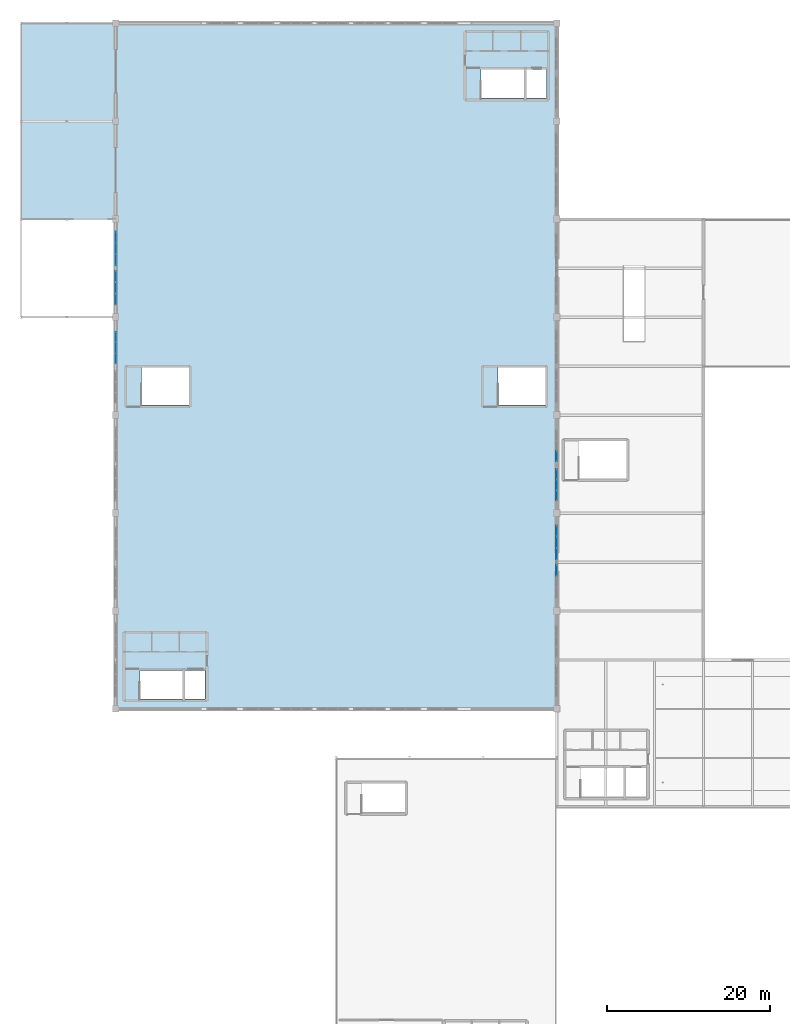
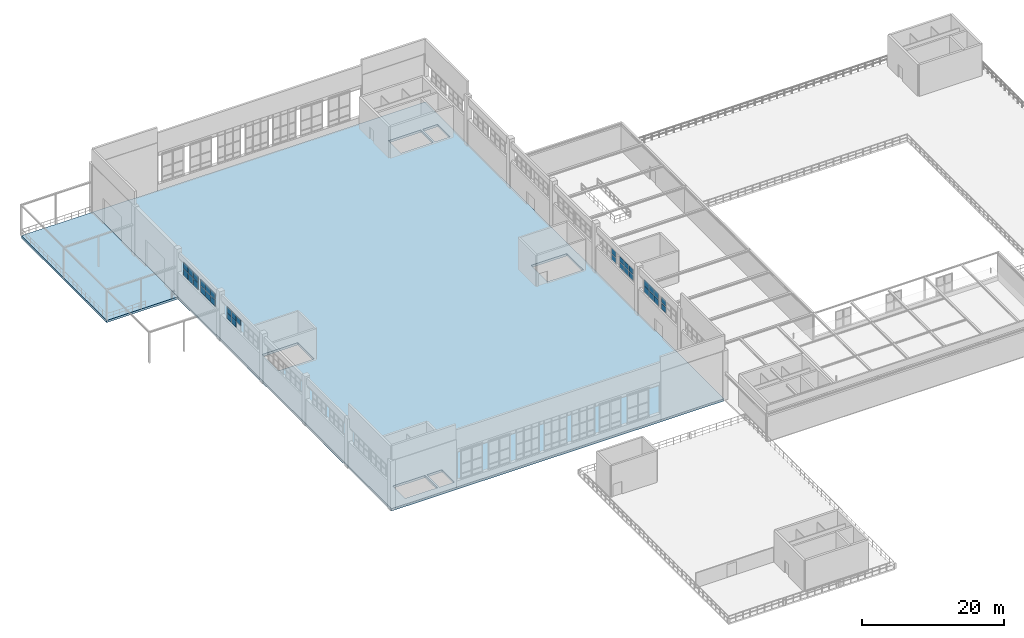
# One storey, part 72 of 97: 33 plates, 2 slabs, 7 elements without a shape of their own.
"""IFC4 building model written with IfcOpenShell, lengths in metres."""

from ifc_helpers import new_model, si_unit, derived_unit, direction, frame, origin, origin_2d, place, context, subcontext, project, spatial, polyline, rectangle, outline, extrude, material, layer, layer_set, type_object, element, aggregate, save


model = new_model("IFC4")

# Units and contexts
model_context = context("Model", 3, precision=1e-05, world=origin(), true_north=direction((0.0, 1.0)))
body_context = subcontext(model_context, "Body", "Model", "MODEL_VIEW")
ifc_project = project(units=[si_unit("LENGTHUNIT", "METRE"), si_unit("AREAUNIT", "SQUARE_METRE"), si_unit("VOLUMEUNIT", "CUBIC_METRE"), si_unit("PLANEANGLEUNIT", "RADIAN"), si_unit("MASSUNIT", "GRAM", prefix="KILO"), derived_unit("THERMALTRANSMITTANCEUNIT", [(si_unit("POWERUNIT", "WATT"), 1), (si_unit("LENGTHUNIT", "METRE"), -2), (si_unit("THERMODYNAMICTEMPERATUREUNIT", "KELVIN"), -1)])], contexts=[model_context])

# Site, building, storey
site_placement = place(None, origin())
site = spatial("IfcSite", under=ifc_project, at=site_placement, CompositionType="ELEMENT")
building_placement = place(site_placement, origin())
building = spatial("IfcBuilding", under=site, at=building_placement, Name="Almenara Railside Exhibition Hall", CompositionType="ELEMENT")
storey_placement = place(building_placement, frame((0.0, 0.0, 10.800048828125)))
storey = spatial("IfcBuildingStorey", under=building, at=storey_placement, Name="L02", CompositionType="ELEMENT", Elevation=10.800048828125)

# Curtain wall, plates
ifc_material_1 = material(Name="Bronze-anodised aluminium and low-E double glazing", Category="aluminium")
ifc_layer_1 = layer(ifc_material_1, 0.179931640625, Name="Bronze-anodised aluminium and low-E double glazing")
ifc_layer_set_1 = layer_set([ifc_layer_1], Name="Bronze-anodised aluminium and low-E double glazing")
curtain_wall_type_1 = type_object("IfcCurtainWallType", Name="West Hall Clerestory Curtain Wall 4200x2400", PredefinedType="NOTDEFINED", material=ifc_layer_set_1)
curtain_wall_1_placement = place(storey_placement, origin())
curtain_wall_1 = element("IfcCurtainWall", 1, at=curtain_wall_1_placement, inside=storey, type_object=curtain_wall_type_1, Name="Curtain wall CW-CL1-007", PredefinedType="NOTDEFINED")
ifc_material_2 = material(Name="Clear low-E laminated double glazing", Category="glass")
ifc_layer_2 = layer(ifc_material_2, 0.02392578125, Name="Clear low-E laminated double glazing")
ifc_layer_set_2 = layer_set([ifc_layer_2], Name="Clear low-E laminated double glazing")
plate_type_1 = type_object("IfcPlateType", Name="Courtyard Clear Double Glazing Panel 24mm", PredefinedType="CURTAIN_PANEL", material=ifc_layer_set_2)
plate_1_placement = place(storey_placement, frame((66.0, 64.982421875, 4.744140625), z_axis=(0.0, 0.0, 1.0), x_axis=(0.0, 1.0, 0.0)))
plate_1 = element("IfcPlate", 2, at=plate_1_placement, type_object=plate_type_1, Name="CW-CL1-007 panel 3.1", PredefinedType="CURTAIN_PANEL", context=body_context, shape_type="SweptSolid", body=[
    extrude(rectangle(XDim=1.31103515625, YDim=0.02392578125, at=origin_2d()), origin(), (0.0, 0.0, 1.0), 0.991943359375),
])
plate_2_placement = place(storey_placement, frame((66.0, 64.982421875, 5.86376953125), z_axis=(0.0, 0.0, 1.0), x_axis=(0.0, 1.0, 0.0)))
plate_2 = element("IfcPlate", 3, at=plate_2_placement, type_object=plate_type_1, Name="CW-CL1-007 panel 3.2", PredefinedType="CURTAIN_PANEL", context=body_context, shape_type="SweptSolid", body=[
    extrude(rectangle(XDim=1.31103515625, YDim=0.02392578125, at=origin_2d()), origin(), (0.0, 0.0, 1.0), 0.991943359375),
])
aggregate(curtain_wall_1, [plate_1, plate_2])

ifc_layer_3 = layer(ifc_material_1, 0.179931640625, Name="Bronze-anodised aluminium and low-E double glazing")
ifc_layer_set_3 = layer_set([ifc_layer_3], Name="Bronze-anodised aluminium and low-E double glazing")
curtain_wall_type_2 = type_object("IfcCurtainWallType", Name="West Hall Clerestory Curtain Wall 3900x2200", PredefinedType="NOTDEFINED", material=ifc_layer_set_3)
curtain_wall_2_placement = place(storey_placement, origin())
curtain_wall_2 = element("IfcCurtainWall", 4, at=curtain_wall_2_placement, inside=storey, type_object=curtain_wall_type_2, Name="Curtain wall CW-CL2-012", PredefinedType="NOTDEFINED")
plate_3_placement = place(storey_placement, frame((66.0, 78.96630859375, 4.72412109375), z_axis=(0.0, 0.0, 1.0), x_axis=(0.0, 1.0, 0.0)))
plate_3 = element("IfcPlate", 5, at=plate_3_placement, type_object=plate_type_1, Name="CW-CL2-012 panel 1.1", PredefinedType="CURTAIN_PANEL", context=body_context, shape_type="SweptSolid", body=[
    extrude(rectangle(XDim=1.218505859375, YDim=0.02392578125, at=origin_2d()), origin(), (0.0, 0.0, 1.0), 0.922119140625),
])
plate_4_placement = place(storey_placement, frame((66.0, 78.96630859375, 5.75390625), z_axis=(0.0, 0.0, 1.0), x_axis=(0.0, 1.0, 0.0)))
plate_4 = element("IfcPlate", 6, at=plate_4_placement, type_object=plate_type_1, Name="CW-CL2-012 panel 1.2", PredefinedType="CURTAIN_PANEL", context=body_context, shape_type="SweptSolid", body=[
    extrude(rectangle(XDim=1.218505859375, YDim=0.02392578125, at=origin_2d()), origin(), (0.0, 0.0, 1.0), 0.922119140625),
])
aggregate(curtain_wall_2, [plate_3, plate_4])

curtain_wall_3_placement = place(storey_placement, origin())
curtain_wall_3 = element("IfcCurtainWall", 7, at=curtain_wall_3_placement, inside=storey, type_object=curtain_wall_type_1, Name="Curtain wall CW-CL1-017", PredefinedType="NOTDEFINED")
plate_5_placement = place(storey_placement, frame((12.0, 98.215087890625, 4.694091796875), z_axis=(0.0, 0.0, 1.0), x_axis=(0.0, 1.0, 0.0)))
plate_5 = element("IfcPlate", 8, at=plate_5_placement, type_object=plate_type_1, Name="CW-CL1-017 panel 1.1", PredefinedType="CURTAIN_PANEL", context=body_context, shape_type="SweptSolid", body=[
    extrude(rectangle(XDim=1.325927734375, YDim=0.02392578125, at=origin_2d()), origin(), (0.0, 0.0, 1.0), 1.06689453125),
])
plate_6_placement = place(storey_placement, frame((12.0, 98.215087890625, 5.839111328125), z_axis=(0.0, 0.0, 1.0), x_axis=(0.0, 1.0, 0.0)))
plate_6 = element("IfcPlate", 9, at=plate_6_placement, type_object=plate_type_1, Name="CW-CL1-017 panel 1.2", PredefinedType="CURTAIN_PANEL", context=body_context, shape_type="SweptSolid", body=[
    extrude(rectangle(XDim=1.325927734375, YDim=0.02392578125, at=origin_2d()), origin(), (0.0, 0.0, 1.0), 1.06689453125),
])
plate_7_placement = place(storey_placement, frame((12.0, 99.60009765625, 4.694091796875), z_axis=(0.0, 0.0, 1.0), x_axis=(0.0, 1.0, 0.0)))
plate_7 = element("IfcPlate", 10, at=plate_7_placement, type_object=plate_type_1, Name="CW-CL1-017 panel 2.1", PredefinedType="CURTAIN_PANEL", context=body_context, shape_type="SweptSolid", body=[
    extrude(rectangle(XDim=1.35595703125, YDim=0.02392578125, at=origin_2d()), origin(), (0.0, 0.0, 1.0), 1.06689453125),
])
plate_8_placement = place(storey_placement, frame((12.0, 99.60009765625, 5.839111328125), z_axis=(0.0, 0.0, 1.0), x_axis=(0.0, 1.0, 0.0)))
plate_8 = element("IfcPlate", 11, at=plate_8_placement, type_object=plate_type_1, Name="CW-CL1-017 panel 2.2", PredefinedType="CURTAIN_PANEL", context=body_context, shape_type="SweptSolid", body=[
    extrude(rectangle(XDim=1.35595703125, YDim=0.02392578125, at=origin_2d()), origin(), (0.0, 0.0, 1.0), 1.06689453125),
])
plate_9_placement = place(storey_placement, frame((12.0, 100.985107421875, 4.694091796875), z_axis=(0.0, 0.0, 1.0), x_axis=(0.0, 1.0, 0.0)))
plate_9 = element("IfcPlate", 12, at=plate_9_placement, type_object=plate_type_1, Name="CW-CL1-017 panel 3.1", PredefinedType="CURTAIN_PANEL", context=body_context, shape_type="SweptSolid", body=[
    extrude(rectangle(XDim=1.325927734375, YDim=0.02392578125, at=origin_2d()), origin(), (0.0, 0.0, 1.0), 1.06689453125),
])
plate_10_placement = place(storey_placement, frame((12.0, 100.985107421875, 5.839111328125), z_axis=(0.0, 0.0, 1.0), x_axis=(0.0, 1.0, 0.0)))
plate_10 = element("IfcPlate", 13, at=plate_10_placement, type_object=plate_type_1, Name="CW-CL1-017 panel 3.2", PredefinedType="CURTAIN_PANEL", context=body_context, shape_type="SweptSolid", body=[
    extrude(rectangle(XDim=1.325927734375, YDim=0.02392578125, at=origin_2d()), origin(), (0.0, 0.0, 1.0), 1.06689453125),
])
aggregate(curtain_wall_3, [plate_5, plate_6, plate_7, plate_8, plate_9, plate_10])

curtain_wall_4_placement = place(storey_placement, origin())
curtain_wall_4 = element("IfcCurtainWall", 14, at=curtain_wall_4_placement, inside=storey, type_object=curtain_wall_type_1, Name="Curtain wall CW-CL1-008", PredefinedType="NOTDEFINED")
ifc_material_3 = material(Name="Bronze-anodised insulated aluminium spandrel", Category="aluminium")
ifc_layer_4 = layer(ifc_material_3, 0.0400390625, Name="Bronze-anodised insulated aluminium spandrel")
ifc_layer_set_4 = layer_set([ifc_layer_4], Name="Bronze-anodised insulated aluminium spandrel")
plate_type_2 = type_object("IfcPlateType", Name="Insulated Bronze Spandrel Panel 40mm", PredefinedType="CURTAIN_PANEL", material=ifc_layer_set_4)
plate_11_placement = place(storey_placement, frame((66.0, 67.016357421875, 4.723876953125), z_axis=(0.0, 0.0, 1.0), x_axis=(0.0, 1.0, 0.0)))
plate_11 = element("IfcPlate", 15, at=plate_11_placement, type_object=plate_type_2, Name="CW-CL1-008 panel 1.1", PredefinedType="CURTAIN_PANEL", context=body_context, shape_type="SweptSolid", body=[
    extrude(rectangle(XDim=1.318603515625, YDim=0.0400390625, at=origin_2d()), origin(), (0.0, 0.0, 1.0), 1.02197265625),
])
plate_12_placement = place(storey_placement, frame((66.0, 67.016357421875, 5.85400390625), z_axis=(0.0, 0.0, 1.0), x_axis=(0.0, 1.0, 0.0)))
plate_12 = element("IfcPlate", 16, at=plate_12_placement, type_object=plate_type_2, Name="CW-CL1-008 panel 1.2", PredefinedType="CURTAIN_PANEL", context=body_context, shape_type="SweptSolid", body=[
    extrude(rectangle(XDim=1.318603515625, YDim=0.0400390625, at=origin_2d()), origin(), (0.0, 0.0, 1.0), 1.02197265625),
])
plate_13_placement = place(storey_placement, frame((66.0, 68.39990234375, 4.723876953125), z_axis=(0.0, 0.0, 1.0), x_axis=(0.0, 1.0, 0.0)))
plate_13 = element("IfcPlate", 17, at=plate_13_placement, type_object=plate_type_2, Name="CW-CL1-008 panel 2.1", PredefinedType="CURTAIN_PANEL", context=body_context, shape_type="SweptSolid", body=[
    extrude(rectangle(XDim=1.35107421875, YDim=0.0400390625, at=origin_2d()), origin(), (0.0, 0.0, 1.0), 1.02197265625),
])
plate_14_placement = place(storey_placement, frame((66.0, 68.39990234375, 5.85400390625), z_axis=(0.0, 0.0, 1.0), x_axis=(0.0, 1.0, 0.0)))
plate_14 = element("IfcPlate", 18, at=plate_14_placement, type_object=plate_type_2, Name="CW-CL1-008 panel 2.2", PredefinedType="CURTAIN_PANEL", context=body_context, shape_type="SweptSolid", body=[
    extrude(rectangle(XDim=1.35107421875, YDim=0.0400390625, at=origin_2d()), origin(), (0.0, 0.0, 1.0), 1.02197265625),
])
plate_15_placement = place(storey_placement, frame((66.0, 69.78369140625, 4.723876953125), z_axis=(0.0, 0.0, 1.0), x_axis=(0.0, 1.0, 0.0)))
plate_15 = element("IfcPlate", 19, at=plate_15_placement, type_object=plate_type_2, Name="CW-CL1-008 panel 3.1", PredefinedType="CURTAIN_PANEL", context=body_context, shape_type="SweptSolid", body=[
    extrude(rectangle(XDim=1.318603515625, YDim=0.0400390625, at=origin_2d()), origin(), (0.0, 0.0, 1.0), 1.02197265625),
])
plate_16_placement = place(storey_placement, frame((66.0, 69.78369140625, 5.85400390625), z_axis=(0.0, 0.0, 1.0), x_axis=(0.0, 1.0, 0.0)))
plate_16 = element("IfcPlate", 20, at=plate_16_placement, type_object=plate_type_2, Name="CW-CL1-008 panel 3.2", PredefinedType="CURTAIN_PANEL", context=body_context, shape_type="SweptSolid", body=[
    extrude(rectangle(XDim=1.318603515625, YDim=0.0400390625, at=origin_2d()), origin(), (0.0, 0.0, 1.0), 1.02197265625),
])
aggregate(curtain_wall_4, [plate_11, plate_12, plate_13, plate_14, plate_15, plate_16])

curtain_wall_5_placement = place(storey_placement, origin())
curtain_wall_5 = element("IfcCurtainWall", 21, at=curtain_wall_5_placement, inside=storey, type_object=curtain_wall_type_1, Name="Curtain wall CW-CL1-018", PredefinedType="NOTDEFINED")
plate_17_placement = place(storey_placement, frame((12.0, 103.013671875, 4.673828125), z_axis=(0.0, 0.0, 1.0), x_axis=(0.0, 1.0, 0.0)))
plate_17 = element("IfcPlate", 22, at=plate_17_placement, type_object=plate_type_2, Name="CW-CL1-018 panel 1.1", PredefinedType="CURTAIN_PANEL", context=body_context, shape_type="SweptSolid", body=[
    extrude(rectangle(XDim=1.33349609375, YDim=0.0400390625, at=origin_2d()), origin(), (0.0, 0.0, 1.0), 1.096923828125),
])
plate_18_placement = place(storey_placement, frame((12.0, 103.013671875, 5.8291015625), z_axis=(0.0, 0.0, 1.0), x_axis=(0.0, 1.0, 0.0)))
plate_18 = element("IfcPlate", 23, at=plate_18_placement, type_object=plate_type_2, Name="CW-CL1-018 panel 1.2", PredefinedType="CURTAIN_PANEL", context=body_context, shape_type="SweptSolid", body=[
    extrude(rectangle(XDim=1.33349609375, YDim=0.0400390625, at=origin_2d()), origin(), (0.0, 0.0, 1.0), 1.096923828125),
])
plate_19_placement = place(storey_placement, frame((12.0, 104.39990234375, 4.673828125), z_axis=(0.0, 0.0, 1.0), x_axis=(0.0, 1.0, 0.0)))
plate_19 = element("IfcPlate", 24, at=plate_19_placement, type_object=plate_type_2, Name="CW-CL1-018 panel 2.1", PredefinedType="CURTAIN_PANEL", context=body_context, shape_type="SweptSolid", body=[
    extrude(rectangle(XDim=1.361083984375, YDim=0.0400390625, at=origin_2d()), origin(), (0.0, 0.0, 1.0), 1.096923828125),
])
plate_20_placement = place(storey_placement, frame((12.0, 104.39990234375, 5.8291015625), z_axis=(0.0, 0.0, 1.0), x_axis=(0.0, 1.0, 0.0)))
plate_20 = element("IfcPlate", 25, at=plate_20_placement, type_object=plate_type_2, Name="CW-CL1-018 panel 2.2", PredefinedType="CURTAIN_PANEL", context=body_context, shape_type="SweptSolid", body=[
    extrude(rectangle(XDim=1.361083984375, YDim=0.0400390625, at=origin_2d()), origin(), (0.0, 0.0, 1.0), 1.096923828125),
])
plate_21_placement = place(storey_placement, frame((12.0, 105.7861328125, 4.673828125), z_axis=(0.0, 0.0, 1.0), x_axis=(0.0, 1.0, 0.0)))
plate_21 = element("IfcPlate", 26, at=plate_21_placement, type_object=plate_type_2, Name="CW-CL1-018 panel 3.1", PredefinedType="CURTAIN_PANEL", context=body_context, shape_type="SweptSolid", body=[
    extrude(rectangle(XDim=1.33349609375, YDim=0.0400390625, at=origin_2d()), origin(), (0.0, 0.0, 1.0), 1.096923828125),
])
plate_22_placement = place(storey_placement, frame((12.0, 105.7861328125, 5.8291015625), z_axis=(0.0, 0.0, 1.0), x_axis=(0.0, 1.0, 0.0)))
plate_22 = element("IfcPlate", 27, at=plate_22_placement, type_object=plate_type_2, Name="CW-CL1-018 panel 3.2", PredefinedType="CURTAIN_PANEL", context=body_context, shape_type="SweptSolid", body=[
    extrude(rectangle(XDim=1.33349609375, YDim=0.0400390625, at=origin_2d()), origin(), (0.0, 0.0, 1.0), 1.096923828125),
])
aggregate(curtain_wall_5, [plate_17, plate_18, plate_19, plate_20, plate_21, plate_22])

curtain_wall_6_placement = place(storey_placement, origin())
curtain_wall_6 = element("IfcCurtainWall", 28, at=curtain_wall_6_placement, inside=storey, type_object=curtain_wall_type_2, Name="Curtain wall CW-CL2-014", PredefinedType="NOTDEFINED")
ifc_layer_5 = layer(ifc_material_3, 0.034912109375, Name="Bronze-anodised insulated aluminium spandrel")
ifc_layer_set_5 = layer_set([ifc_layer_5], Name="Bronze-anodised insulated aluminium spandrel")
plate_type_3 = type_object("IfcPlateType", Name="Insulated Stucco-Tone Spandrel Panel 35mm", PredefinedType="CURTAIN_PANEL", material=ifc_layer_set_5)
plate_23_placement = place(storey_placement, frame((12.0, 90.9638671875, 5.72900390625), z_axis=(0.0, 0.0, 1.0), x_axis=(0.0, 1.0, 0.0)))
plate_23 = element("IfcPlate", 29, at=plate_23_placement, type_object=plate_type_3, Name="CW-CL2-014 panel 1.2", PredefinedType="CURTAIN_PANEL", context=body_context, shape_type="SweptSolid", body=[
    extrude(rectangle(XDim=1.2333984375, YDim=0.034912109375, at=origin_2d()), origin(), (0.0, 0.0, 1.0), 0.9970703125),
])
plate_24_placement = place(storey_placement, frame((12.0, 92.25, 4.673828125), z_axis=(0.0, 0.0, 1.0), x_axis=(0.0, 1.0, 0.0)))
plate_24 = element("IfcPlate", 30, at=plate_24_placement, type_object=plate_type_3, Name="CW-CL2-014 panel 2.1", PredefinedType="CURTAIN_PANEL", context=body_context, shape_type="SweptSolid", body=[
    extrude(rectangle(XDim=1.260986328125, YDim=0.034912109375, at=origin_2d()), origin(), (0.0, 0.0, 1.0), 0.9970703125),
])
plate_25_placement = place(storey_placement, frame((12.0, 92.25, 5.72900390625), z_axis=(0.0, 0.0, 1.0), x_axis=(0.0, 1.0, 0.0)))
plate_25 = element("IfcPlate", 31, at=plate_25_placement, type_object=plate_type_3, Name="CW-CL2-014 panel 2.2", PredefinedType="CURTAIN_PANEL", context=body_context, shape_type="SweptSolid", body=[
    extrude(rectangle(XDim=1.260986328125, YDim=0.034912109375, at=origin_2d()), origin(), (0.0, 0.0, 1.0), 0.9970703125),
])
plate_26_placement = place(storey_placement, frame((12.0, 93.5361328125, 4.673828125), z_axis=(0.0, 0.0, 1.0), x_axis=(0.0, 1.0, 0.0)))
plate_26 = element("IfcPlate", 32, at=plate_26_placement, type_object=plate_type_3, Name="CW-CL2-014 panel 3.1", PredefinedType="CURTAIN_PANEL", context=body_context, shape_type="SweptSolid", body=[
    extrude(rectangle(XDim=1.2333984375, YDim=0.034912109375, at=origin_2d()), origin(), (0.0, 0.0, 1.0), 0.9970703125),
])
plate_27_placement = place(storey_placement, frame((12.0, 93.5361328125, 5.72900390625), z_axis=(0.0, 0.0, 1.0), x_axis=(0.0, 1.0, 0.0)))
plate_27 = element("IfcPlate", 33, at=plate_27_placement, type_object=plate_type_3, Name="CW-CL2-014 panel 3.2", PredefinedType="CURTAIN_PANEL", context=body_context, shape_type="SweptSolid", body=[
    extrude(rectangle(XDim=1.2333984375, YDim=0.034912109375, at=origin_2d()), origin(), (0.0, 0.0, 1.0), 0.9970703125),
])
aggregate(curtain_wall_6, [plate_23, plate_24, plate_25, plate_26, plate_27])

curtain_wall_7_placement = place(storey_placement, origin())
curtain_wall_7 = element("IfcCurtainWall", 34, at=curtain_wall_7_placement, inside=storey, type_object=curtain_wall_type_2, Name="Curtain wall CW-CL2-011", PredefinedType="NOTDEFINED")
ifc_material_4 = material(Name="Solar-control low-E laminated double glazing", Category="glass")
ifc_layer_6 = layer(ifc_material_4, 0.028076171875, Name="Solar-control low-E laminated double glazing")
ifc_layer_set_6 = layer_set([ifc_layer_6], Name="Solar-control low-E laminated double glazing")
plate_type_4 = type_object("IfcPlateType", Name="Low-E Solar Control Double Glazing Panel 28mm", PredefinedType="CURTAIN_PANEL", material=ifc_layer_set_6)
plate_28_placement = place(storey_placement, frame((66.0, 74.16748046875, 4.743896484375), z_axis=(0.0, 0.0, 1.0), x_axis=(0.0, 1.0, 0.0)))
plate_28 = element("IfcPlate", 35, at=plate_28_placement, type_object=plate_type_4, Name="CW-CL2-011 panel 1.1", PredefinedType="CURTAIN_PANEL", context=body_context, shape_type="SweptSolid", body=[
    extrude(rectangle(XDim=1.2109375, YDim=0.028076171875, at=origin_2d()), origin(), (0.0, 0.0, 1.0), 0.89208984375),
])
plate_29_placement = place(storey_placement, frame((66.0, 74.16748046875, 5.763916015625), z_axis=(0.0, 0.0, 1.0), x_axis=(0.0, 1.0, 0.0)))
plate_29 = element("IfcPlate", 36, at=plate_29_placement, type_object=plate_type_4, Name="CW-CL2-011 panel 1.2", PredefinedType="CURTAIN_PANEL", context=body_context, shape_type="SweptSolid", body=[
    extrude(rectangle(XDim=1.2109375, YDim=0.028076171875, at=origin_2d()), origin(), (0.0, 0.0, 1.0), 0.89208984375),
])
plate_30_placement = place(storey_placement, frame((66.0, 75.449951171875, 4.743896484375), z_axis=(0.0, 0.0, 1.0), x_axis=(0.0, 1.0, 0.0)))
plate_30 = element("IfcPlate", 37, at=plate_30_placement, type_object=plate_type_4, Name="CW-CL2-011 panel 2.1", PredefinedType="CURTAIN_PANEL", context=body_context, shape_type="SweptSolid", body=[
    extrude(rectangle(XDim=1.24609375, YDim=0.028076171875, at=origin_2d()), origin(), (0.0, 0.0, 1.0), 0.89208984375),
])
plate_31_placement = place(storey_placement, frame((66.0, 75.449951171875, 5.763916015625), z_axis=(0.0, 0.0, 1.0), x_axis=(0.0, 1.0, 0.0)))
plate_31 = element("IfcPlate", 38, at=plate_31_placement, type_object=plate_type_4, Name="CW-CL2-011 panel 2.2", PredefinedType="CURTAIN_PANEL", context=body_context, shape_type="SweptSolid", body=[
    extrude(rectangle(XDim=1.24609375, YDim=0.028076171875, at=origin_2d()), origin(), (0.0, 0.0, 1.0), 0.89208984375),
])
plate_32_placement = place(storey_placement, frame((66.0, 76.732421875, 4.743896484375), z_axis=(0.0, 0.0, 1.0), x_axis=(0.0, 1.0, 0.0)))
plate_32 = element("IfcPlate", 39, at=plate_32_placement, type_object=plate_type_4, Name="CW-CL2-011 panel 3.1", PredefinedType="CURTAIN_PANEL", context=body_context, shape_type="SweptSolid", body=[
    extrude(rectangle(XDim=1.2109375, YDim=0.028076171875, at=origin_2d()), origin(), (0.0, 0.0, 1.0), 0.89208984375),
])
plate_33_placement = place(storey_placement, frame((66.0, 76.732421875, 5.763916015625), z_axis=(0.0, 0.0, 1.0), x_axis=(0.0, 1.0, 0.0)))
plate_33 = element("IfcPlate", 40, at=plate_33_placement, type_object=plate_type_4, Name="CW-CL2-011 panel 3.2", PredefinedType="CURTAIN_PANEL", context=body_context, shape_type="SweptSolid", body=[
    extrude(rectangle(XDim=1.2109375, YDim=0.028076171875, at=origin_2d()), origin(), (0.0, 0.0, 1.0), 0.89208984375),
])
aggregate(curtain_wall_7, [plate_28, plate_29, plate_30, plate_31, plate_32, plate_33])

# Slabs
ifc_material_5 = material(Name="Concrete C40/50", Category="concrete")
ifc_layer_7 = layer(ifc_material_5, 0.39990234375, Name="Concrete C40/50")
ifc_layer_set_7 = layer_set([ifc_layer_7], Name="Concrete C40/50")
slab_type_1 = type_object("IfcSlabType", Name="Stacked Hall L02 Transfer Slab 400mm C40/50", PredefinedType="FLOOR", material=ifc_layer_set_7)
slab_1_placement = place(storey_placement, frame((0.0, 0.0, -0.400146484375)))
element("IfcSlab", 41, at=slab_1_placement, inside=storey, type_object=slab_type_1, Name="Stacked Exhibition Hall 3 transfer slab 018", PredefinedType="FLOOR", context=body_context, shape_type="SweptSolid", body=[
    extrude(outline(polyline([(12.0, 48.0), (66.0, 48.0), (66.0, 132.0), (12.0, 132.0), (12.0, 48.0)]), holes=[polyline([(14.95068359375, 49.25), (20.199951171875, 49.25), (20.199951171875, 52.739990234375), (14.95068359375, 52.739990234375), (14.95068359375, 49.25)]), polyline([(20.5, 49.25), (22.949951171875, 49.25), (22.949951171875, 52.739990234375), (20.5, 52.739990234375), (20.5, 49.25)]), polyline([(56.750732421875, 122.85009765625), (62.0, 122.85009765625), (62.0, 126.340087890625), (56.750732421875, 126.340087890625), (56.750732421875, 122.85009765625)]), polyline([(62.300048828125, 122.85009765625), (64.75, 122.85009765625), (64.75, 126.340087890625), (62.300048828125, 126.340087890625), (62.300048828125, 122.85009765625)]), polyline([(15.15087890625, 85.25), (20.949951171875, 85.25), (20.949951171875, 89.85009765625), (15.15087890625, 89.85009765625), (15.15087890625, 85.25)]), polyline([(58.850830078125, 85.25), (64.64990234375, 85.25), (64.64990234375, 89.85009765625), (58.850830078125, 89.85009765625), (58.850830078125, 85.25)])]), origin(), (0.0, 0.0, 1.0), 0.400146484375),
])
ifc_layer_8 = layer(ifc_material_5, 0.3798828125, Name="Concrete C40/50")
ifc_layer_set_8 = layer_set([ifc_layer_8], Name="Concrete C40/50")
slab_type_2 = type_object("IfcSlabType", Name="Truck Apron Heavy Deck Slab 380mm C40/50", PredefinedType="FLOOR", material=ifc_layer_set_8)
slab_2_placement = place(storey_placement, frame((0.0, 0.0, -0.380126953125)))
element("IfcSlab", 42, at=slab_2_placement, inside=storey, type_object=slab_type_2, Name="Elevated L02 truck turning apron 019", PredefinedType="FLOOR", context=body_context, shape_type="SweptSolid", body=[
    extrude(outline(polyline([(0.39990234375, 108.0), (12.0, 108.0), (12.0, 132.0), (0.39990234375, 132.0), (0.39990234375, 108.0)])), origin(), (0.0, 0.0, 1.0), 0.380126953125),
])

save(model, "model.ifc")
